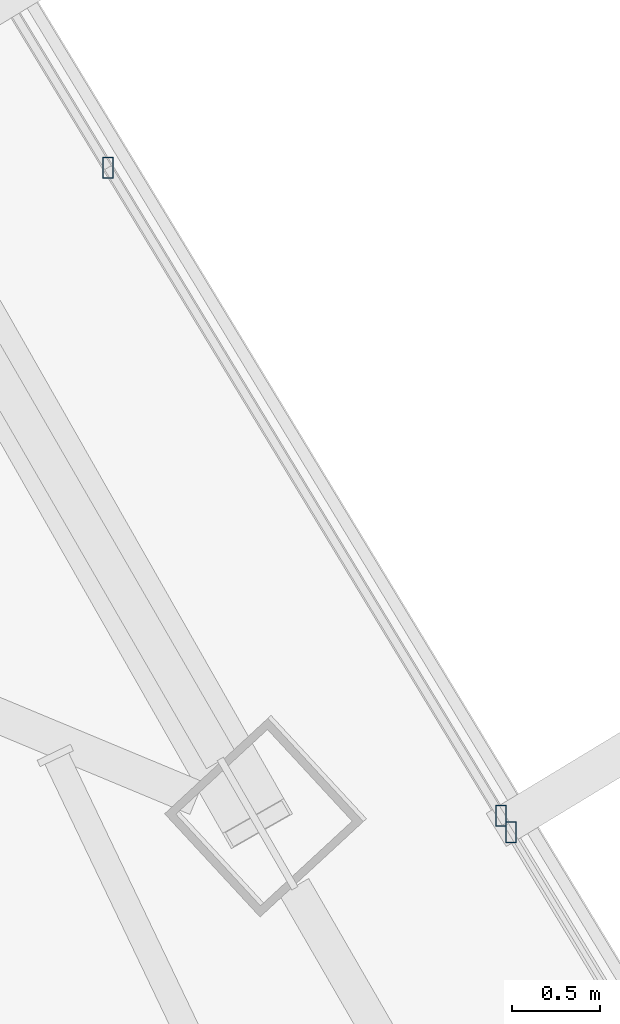
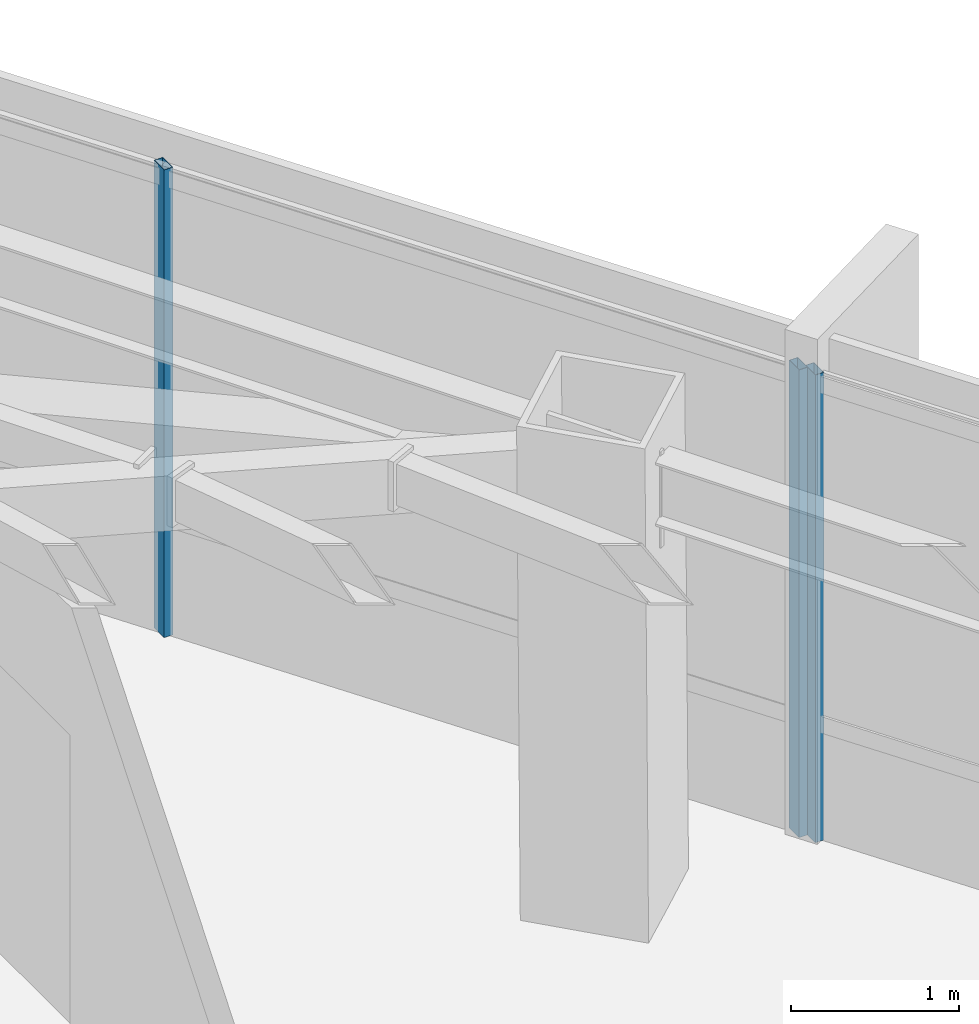
# One storey, part 28 of 49: 3 members, 2 elements without a shape of their own.
"""IFC4 building model written with IfcOpenShell, lengths in metres."""

import ifcopenshell
import ifcopenshell.guid

model = None  # the IFC model being written
_history = None  # IfcOwnerHistory: only IFC2X3 demands one
_inside = {}  # id of a spatial element -> (the spatial element, [elements in it])
_under = {}  # id of a project, library or spatial element -> (it, [spatial elements below it])
_declared = {}  # id of a project -> (the project, [libraries it declares])
_typed = {}  # id of a type object -> (the type object, [elements of that type])
_made_of = {}  # id of a material, layer set ... -> (it, [elements and type objects made of it])


def new_model(schema):
    """Start an empty IFC model of exactly this schema.

    Asked for "IFC4X3", IfcOpenShell would pick the latest addendum, in which some entities
    have other attributes; the version numbers below select the first issue.
    IFC2X3 requires an IfcOwnerHistory on every rooted entity: one is made here for all.
    """
    global model, _history
    if schema == "IFC4X3":
        model = ifcopenshell.file(schema_version=(4, 3, 0, 0))
    else:
        model = ifcopenshell.file(schema=schema)
    _inside.clear()
    _under.clear()
    _declared.clear()
    _typed.clear()
    _made_of.clear()
    _history = None
    if model.schema == "IFC2X3":
        org = make("IfcOrganization", Name="unknown")
        user = make(
            "IfcPersonAndOrganization",
            ThePerson=make("IfcPerson", FamilyName="unknown"),
            TheOrganization=org,
        )
        app = make(
            "IfcApplication",
            ApplicationDeveloper=org,
            Version="unknown",
            ApplicationFullName="unknown",
            ApplicationIdentifier="unknown",
        )
        _history = make(
            "IfcOwnerHistory",
            OwningUser=user,
            OwningApplication=app,
            ChangeAction="ADDED",
            CreationDate=0,
        )
    return model


def make(cls, **values):
    """One entity of the class cls with the attributes given. An attribute that is None is left unset."""
    return model.create_entity(
        cls, **{name: value for name, value in values.items() if value is not None}
    )


def rooted(cls, **values):
    """An entity with a GlobalId (a new one), such as an element, a storey or a relation."""
    return make(cls, GlobalId=ifcopenshell.guid.new(), OwnerHistory=_history, **values)


def si_unit(unit_type, name, prefix=None):
    """IfcSIUnit, for example si_unit("LENGTHUNIT", "METRE", prefix="MILLI")."""
    return make("IfcSIUnit", UnitType=unit_type, Prefix=prefix, Name=name)


def assignment(units):
    """IfcUnitAssignment: the units of a project."""
    return None if units is None else make("IfcUnitAssignment", Units=units)


def point(xyz):
    """IfcCartesianPoint."""
    return None if xyz is None else make("IfcCartesianPoint", Coordinates=xyz)


def direction(xyz):
    """IfcDirection."""
    return None if xyz is None else make("IfcDirection", DirectionRatios=xyz)


def frame(location, z_axis=None, x_axis=None):
    """IfcAxis2Placement3D, a coordinate frame: its origin and axes. An axis left out is left unset."""
    return make(
        "IfcAxis2Placement3D",
        Location=point(location),
        Axis=direction(z_axis),
        RefDirection=direction(x_axis),
    )


def frame_2d(location, x_axis=None):
    """IfcAxis2Placement2D, a coordinate frame in the plane: its origin and x axis."""
    return make(
        "IfcAxis2Placement2D", Location=point(location), RefDirection=direction(x_axis)
    )


def origin():
    """The frame at (0, 0, 0) with its axes left unset."""
    return frame((0.0, 0.0, 0.0))


def origin_2d():
    """The frame at (0, 0) in the plane with its x axis left unset."""
    return frame_2d((0.0, 0.0))


def place(relative_to, where):
    """IfcLocalPlacement: puts the frame where relative to a parent placement (None: the world)."""
    return make(
        "IfcLocalPlacement", PlacementRelTo=relative_to, RelativePlacement=where
    )


def context(
    kind, dimensions, precision=None, world=None, true_north=None, identifier=None
):
    """IfcGeometricRepresentationContext, for example the 3D "Model" context."""
    return make(
        "IfcGeometricRepresentationContext",
        ContextIdentifier=identifier,
        ContextType=kind,
        CoordinateSpaceDimension=dimensions,
        Precision=precision,
        WorldCoordinateSystem=world,
        TrueNorth=true_north,
    )


def subcontext(parent, identifier, kind, view, scale=None):
    """IfcGeometricRepresentationSubContext, for example "Body" below "Model"."""
    return make(
        "IfcGeometricRepresentationSubContext",
        ContextIdentifier=identifier,
        ContextType=kind,
        ParentContext=parent,
        TargetScale=scale,
        TargetView=view,
    )


def project(units=None, contexts=None):
    """IfcProject with its units and contexts."""
    return rooted(
        "IfcProject",
        Name="project",
        RepresentationContexts=contexts,
        UnitsInContext=assignment(units),
    )


def spatial(cls, under=None, at=None, **own):
    """A site, building, storey or space (cls), placed at a placement, below another one or the project."""
    s = rooted(cls, ObjectPlacement=at, **own)
    if under is not None:
        _under.setdefault(under.id(), (under, []))[1].append(s)
    return s


def profile(cls, at=None, kind="AREA", **sizes):
    """A parametric profile (cls). Its sizes go by their IFC names, for example OverallWidth=200.0."""
    return make(cls, ProfileType=kind, Position=at, **sizes)


def hollow_rectangle(**sizes):
    """IfcRectangleHollowProfileDef."""
    return profile("IfcRectangleHollowProfileDef", **sizes)


def extrude(swept, where, along, depth):
    """IfcExtrudedAreaSolid: the profile swept, set in the frame where, extruded along a direction by depth."""
    return make(
        "IfcExtrudedAreaSolid",
        SweptArea=swept,
        Position=where,
        ExtrudedDirection=direction(along),
        Depth=depth,
    )


def shape(context_of_items, identifier, shape_type, items):
    """IfcShapeRepresentation: the items that make up one representation, for example the "Body"."""
    return make(
        "IfcShapeRepresentation",
        ContextOfItems=context_of_items,
        RepresentationIdentifier=identifier,
        RepresentationType=shape_type,
        Items=items,
    )


def source(mapping_origin, context_of_items, identifier, shape_type, items):
    """IfcRepresentationMap: a shape defined once, which mapped items show again and again."""
    return make(
        "IfcRepresentationMap",
        MappingOrigin=mapping_origin,
        MappedRepresentation=shape(context_of_items, identifier, shape_type, items),
    )


def transform(
    local_origin,
    x_axis=None,
    y_axis=None,
    z_axis=None,
    scale=None,
    scale2=None,
    scale3=None,
    uniform=True,
):
    """IfcCartesianTransformationOperator3D, or its non-uniform kind. x_axis, y_axis, z_axis: its Axis1, 2, 3."""
    if uniform:
        return make(
            "IfcCartesianTransformationOperator3D",
            Axis1=direction(x_axis),
            Axis2=direction(y_axis),
            LocalOrigin=point(local_origin),
            Scale=scale,
            Axis3=direction(z_axis),
        )
    return make(
        "IfcCartesianTransformationOperator3DnonUniform",
        Axis1=direction(x_axis),
        Axis2=direction(y_axis),
        LocalOrigin=point(local_origin),
        Scale=scale,
        Axis3=direction(z_axis),
        Scale2=scale2,
        Scale3=scale3,
    )


def mapped(mapping_source, mapping_target):
    """IfcMappedItem: shows the shape of a source again, moved by a transform."""
    return make(
        "IfcMappedItem", MappingSource=mapping_source, MappingTarget=mapping_target
    )


def material(Name=None, Category=None):
    """IfcMaterial."""
    return make("IfcMaterial", Name=Name, Category=Category)


def material_profile(
    of_material, cross_section, Name=None, Category=None, Priority=None
):
    """IfcMaterialProfile: a cross section and its material."""
    return make(
        "IfcMaterialProfile",
        Name=Name,
        Material=of_material,
        Profile=cross_section,
        Priority=Priority,
        Category=Category,
    )


def profile_set(profiles, Name=None, composite=None):
    """IfcMaterialProfileSet."""
    return make(
        "IfcMaterialProfileSet",
        Name=Name,
        MaterialProfiles=profiles,
        CompositeProfile=composite,
    )


def made_of(thing, what):
    """Note that an element or type object is made of a material, layer set ...; save() writes the relation."""
    if what is not None:
        _made_of.setdefault(what.id(), (what, []))[1].append(thing)
    return thing


def type_object(cls, material=None, **own):
    """A type object (cls), such as IfcWallType, which elements share."""
    return made_of(rooted(cls, **own), material)


def type_shapes(of_type, sources):
    """Give a type object the sources (RepresentationMaps) that its elements show as mapped items."""
    of_type.RepresentationMaps = sources


def element(
    cls,
    number,
    at=None,
    inside=None,
    cuts=None,
    type_object=None,
    material=None,
    context=None,
    identifier="Body",
    shape_type=None,
    held_by="IfcProductDefinitionShape",
    body=None,
    shapes=None,
    **own,
):
    """One element of the class cls, such as IfcWall. Its Tag is "e" and its number.

    at: its placement. inside: the storey or other place that contains it. cuts: it is an
    opening in that element (IfcRelVoidsElement). A single representation is given by context,
    identifier, shape_type and body (its items); several are given by shapes. held_by: the class
    of the entity that holds the representations. save() writes the other relations.
    """
    e = rooted(cls, Tag="e%d" % number, ObjectPlacement=at, **own)
    if body is not None:
        shapes = [shape(context, identifier, shape_type, body)]
    if shapes is not None:
        e.Representation = make(held_by, Representations=shapes)
    if inside is not None:
        _inside.setdefault(inside.id(), (inside, []))[1].append(e)
    if cuts is not None:
        rooted(
            "IfcRelVoidsElement", RelatingBuildingElement=cuts, RelatedOpeningElement=e
        )
    if type_object is not None:
        _typed.setdefault(type_object.id(), (type_object, []))[1].append(e)
    return made_of(e, material)


def aggregate(whole, parts):
    """IfcRelAggregates: a whole, such as a stair, and the parts it consists of."""
    return rooted("IfcRelAggregates", RelatingObject=whole, RelatedObjects=parts)


def save(model, path):
    """Write the relations noted so far, then the file.

    IfcRelAggregates (storeys below a building ...), IfcRelContainedInSpatialStructure (elements
    in a storey), IfcRelDefinesByType, IfcRelAssociatesMaterial and IfcRelDeclares: one each for
    every whole, place, type object, material and project.
    """
    for whole, parts in _under.values():
        aggregate(whole, parts)
    for where, things in _inside.values():
        rooted(
            "IfcRelContainedInSpatialStructure",
            RelatedElements=things,
            RelatingStructure=where,
        )
    for kind, things in _typed.values():
        rooted("IfcRelDefinesByType", RelatedObjects=things, RelatingType=kind)
    for what, things in _made_of.values():
        rooted("IfcRelAssociatesMaterial", RelatedObjects=things, RelatingMaterial=what)
    for by, libraries in _declared.values():
        rooted("IfcRelDeclares", RelatingContext=by, RelatedDefinitions=libraries)
    model.write(path)


model = new_model("IFC4")

# Units and contexts
model_context = context("Model", 3, precision=1e-05, world=origin(), true_north=direction((0.0, 1.0)))
body_context = subcontext(model_context, "Body", "Model", "MODEL_VIEW")
ifc_project = project(units=[si_unit("LENGTHUNIT", "METRE"), si_unit("AREAUNIT", "SQUARE_METRE"), si_unit("VOLUMEUNIT", "CUBIC_METRE"), si_unit("PLANEANGLEUNIT", "RADIAN"), si_unit("MASSUNIT", "GRAM", prefix="KILO")], contexts=[model_context])

# Site, building, storey
site_placement = place(None, origin())
site = spatial("IfcSite", under=ifc_project, at=site_placement, CompositionType="ELEMENT")
building_placement = place(site_placement, origin())
building = spatial("IfcBuilding", under=site, at=building_placement, Name="Caelisora Broadcast Tower", CompositionType="ELEMENT")
storey_placement = place(building_placement, frame((0.0, 0.0, 233.5)))
storey = spatial("IfcBuildingStorey", under=building, at=storey_placement, Name="L61", CompositionType="ELEMENT", Elevation=233.5)

# Curtain wall, members
ifc_material_1 = material(Name="Unitised Aluminium Insulated Shadow-Box Spandrel Curtain Wall", Category="aluminium")
curtain_wall_type_1 = type_object("IfcCurtainWallType", Name="CW-SP3", PredefinedType="NOTDEFINED", material=ifc_material_1)
curtain_wall_1_placement = place(storey_placement, origin())
curtain_wall_1 = element("IfcCurtainWall", 1, at=curtain_wall_1_placement, inside=storey, type_object=curtain_wall_type_1, Name="L61 curtain wall CW-SP3", PredefinedType="NOTDEFINED")
ifc_material_2 = material(Name="Aluminium 6063-T6 Anodised Terracotta Bronze", Category="aluminium")
ifc_material_profile = material_profile(ifc_material_2, hollow_rectangle(XDim=0.06005859375, YDim=0.1201171875, WallThickness=0.0029296875, at=origin_2d()), Name="Aluminium 6063-T6 Anodised Terracotta Bronze")
ifc_profile_set = profile_set([ifc_material_profile], Name="Aluminium 6063-T6 Anodised Terracotta Bronze")
member_type = type_object("IfcMemberType", Name="CWM-04", PredefinedType="MULLION", material=ifc_profile_set)
shared_shape = source(origin(), body_context, "Body", "SweptSolid", [
    extrude(hollow_rectangle(XDim=0.06005859375, YDim=0.1201171875, WallThickness=0.0029296875, at=origin_2d()), origin(), (0.0, 0.0, 1.0), 3.39990234375),
])
type_shapes(member_type, [shared_shape])
member_1_placement = place(storey_placement, frame((53.0908203125, 30.218994140625, 0.0), z_axis=(0.0, 0.0, 1.0), x_axis=(1.0, 0.0, 0.0)))
member_1 = element("IfcMember", 2, at=member_1_placement, type_object=member_type, Name="L61-CW-B02 mullion #2", PredefinedType="MULLION", context=body_context, shape_type="MappedRepresentation", body=[
    mapped(shared_shape, transform((0.0, 0.0, 0.0), scale=1.0)),
])
member_2_placement = place(storey_placement, frame((55.327392578125, 26.530517578125, 0.0), z_axis=(0.0, 0.0, 1.0), x_axis=(1.0, 0.0, 0.0)))
member_2 = element("IfcMember", 3, at=member_2_placement, type_object=member_type, Name="L61-CW-B02 mullion #3", PredefinedType="MULLION", context=body_context, shape_type="MappedRepresentation", body=[
    mapped(shared_shape, transform((0.0, 0.0, 0.0), scale=1.0)),
])
aggregate(curtain_wall_1, [member_1, member_2])

# Curtain wall, member
ifc_material_3 = material(Name="Unitised Aluminium and Low-E Glass Curtain Wall", Category="glass")
curtain_wall_type_2 = type_object("IfcCurtainWallType", Name="CW-Z5", PredefinedType="NOTDEFINED", material=ifc_material_3)
curtain_wall_2_placement = place(storey_placement, origin())
curtain_wall_2 = element("IfcCurtainWall", 4, at=curtain_wall_2_placement, inside=storey, type_object=curtain_wall_type_2, Name="L61 curtain wall CW-Z5", PredefinedType="NOTDEFINED")
member_3_placement = place(storey_placement, frame((55.384521484375, 26.4365234375, 0.0), z_axis=(0.0, 0.0, 1.0), x_axis=(1.0, 0.0, 0.0)))
member_3 = element("IfcMember", 5, at=member_3_placement, type_object=member_type, Name="L61-CW-B03 mullion #0", PredefinedType="MULLION", context=body_context, shape_type="MappedRepresentation", body=[
    mapped(shared_shape, transform((0.0, 0.0, 0.0), scale=1.0)),
])
aggregate(curtain_wall_2, [member_3])

save(model, "model.ifc")
